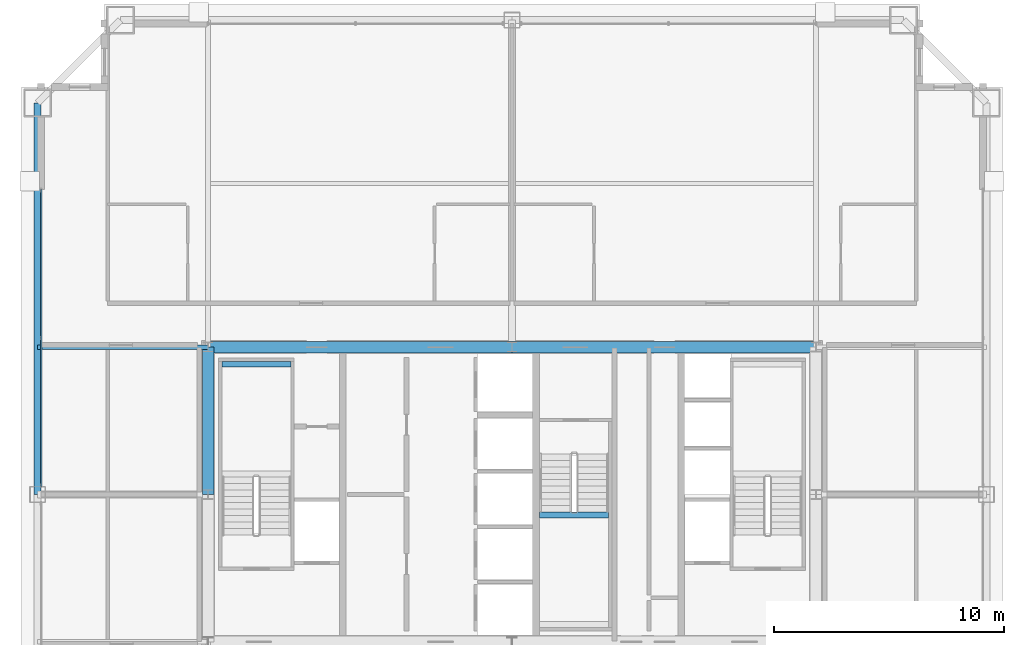
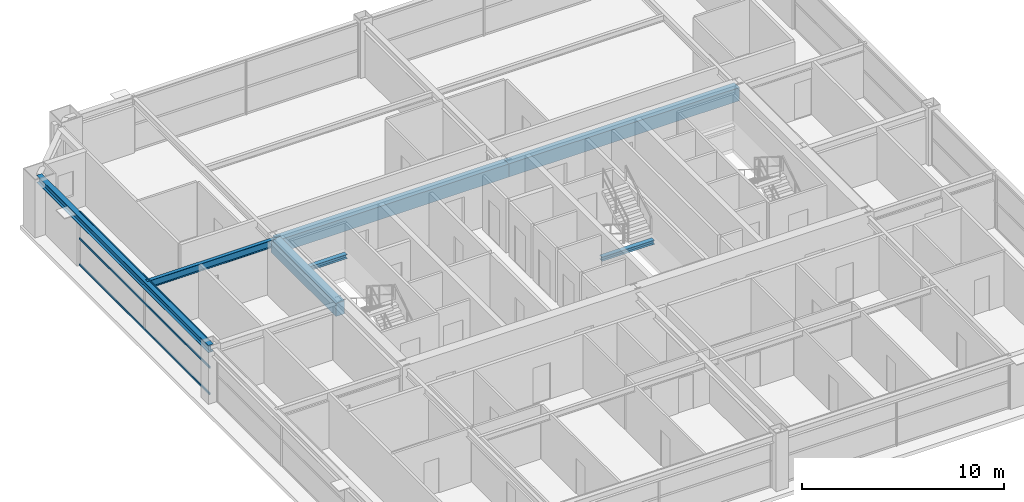
# One storey, part 14 of 36: 7 beams, 3 members, 1 element without a shape of its own.
"""IFC4 building model written with IfcOpenShell, lengths in metres."""

from ifc_helpers import new_model, si_unit, direction, frame, origin, origin_2d, place, context, subcontext, project, spatial, rectangle, hollow_rectangle, i_section, extrude, source, transform, mapped, material, layer, layer_set, material_profile, profile_set, type_object, element, aggregate, save


model = new_model("IFC4")

# Units and contexts
model_context = context("Model", 3, precision=1e-05, world=origin(), true_north=direction((0.0, 1.0)))
body_context = subcontext(model_context, "Body", "Model", "MODEL_VIEW")
ifc_project = project(units=[si_unit("LENGTHUNIT", "METRE"), si_unit("AREAUNIT", "SQUARE_METRE"), si_unit("VOLUMEUNIT", "CUBIC_METRE"), si_unit("PLANEANGLEUNIT", "RADIAN"), si_unit("MASSUNIT", "GRAM", prefix="KILO"), si_unit("THERMODYNAMICTEMPERATUREUNIT", "KELVIN"), si_unit("POWERUNIT", "WATT")], contexts=[model_context])

# Site, building, storey
site_placement = place(None, origin())
site = spatial("IfcSite", under=ifc_project, at=site_placement, CompositionType="ELEMENT")
building_placement = place(site_placement, origin())
building = spatial("IfcBuilding", under=site, at=building_placement, Name="Yuzanri Waterfront Tower", CompositionType="ELEMENT")
storey_placement = place(building_placement, frame((0.0, 0.0, 231.10009765625)))
storey = spatial("IfcBuildingStorey", under=building, at=storey_placement, Name="L61", CompositionType="ELEMENT", Elevation=231.10009765625)

# Beams
ifc_material_1 = material(Name="Concrete C50", Category="concrete")
ifc_material_profile_1 = material_profile(ifc_material_1, rectangle(XDim=0.5, YDim=0.800048828125, at=origin_2d()), Name="RC 500x800")
ifc_profile_set_1 = profile_set([ifc_material_profile_1], Name="Concrete C50")
beam_type_1 = type_object("IfcBeamType", Name="Core Coupling Lintel Concrete C50 500x800", PredefinedType="LINTEL", material=ifc_profile_set_1)
shared_shape_1 = source(origin(), body_context, "Body", "SweptSolid", [
    extrude(rectangle(XDim=0.5, YDim=0.800048828125, at=origin_2d()), origin(), (0.0, 0.0, 1.0), 13.199951171875),
])
for number, where, z_axis, x_axis, name in (
    (1, (23.800048828125, 32.199951171875, 2.8798828125), (1.0, 0.0, 0.0), (0.0, 1.0, 0.0), "L61 Core Tie Beam CN1"),
    (2, (37.0, 32.199951171875, 2.8798828125), (1.0, 0.0, 0.0), (0.0, 1.0, 0.0), "L61 Core Tie Beam CN2"),
):
    element("IfcBeam", number, at=place(storey_placement, frame(where, z_axis=z_axis, x_axis=x_axis)), inside=storey, type_object=beam_type_1, Name=name, PredefinedType="LINTEL", context=body_context, shape_type="MappedRepresentation", body=[
        mapped(shared_shape_1, transform((0.0, 0.0, 0.0), scale=1.0)),
    ])
shared_shape_2 = source(origin(), body_context, "Body", "SweptSolid", [
    extrude(rectangle(XDim=0.5, YDim=0.800048828125, at=origin_2d()), origin(), (0.0, 0.0, 1.0), 6.39990234375),
])
beam_1_placement = place(storey_placement, frame((23.800048828125, 25.800048828125, 2.8798828125), z_axis=(0.0, 1.0, 0.0), x_axis=(-1.0, 0.0, 0.0)))
element("IfcBeam", 3, at=beam_1_placement, inside=storey, type_object=beam_type_1, Name="L61 Core Tie Beam CW2", PredefinedType="LINTEL", context=body_context, shape_type="MappedRepresentation", body=[
    mapped(shared_shape_2, transform((0.0, 0.0, 0.0), scale=1.0)),
])
ifc_material_2 = material(Name="Steel Q355B", Category="steel")
ifc_material_profile_2 = material_profile(ifc_material_2, i_section(OverallWidth=0.300048828125, OverallDepth=0.43994140625, WebThickness=0.010986328125, FlangeThickness=0.01806640625, at=origin_2d()), Name="HM 440x300x11x18")
ifc_profile_set_2 = profile_set([ifc_material_profile_2], Name="Steel Q355B")
beam_type_2 = type_object("IfcBeamType", Name="Perimeter Spandrel Q355B HM 440x300", PredefinedType="SPANDREL", material=ifc_profile_set_2)
shared_shape_3 = source(origin(), body_context, "Body", "SweptSolid", [
    extrude(i_section(OverallWidth=0.300048828125, OverallDepth=0.43994140625, WebThickness=0.010986328125, FlangeThickness=0.01806640625, at=origin_2d()), origin(), (0.0, 0.0, 1.0), 17.0),
])
beam_2_placement = place(storey_placement, frame((16.39990234375, 42.800048828125, 3.059814453125), z_axis=(0.0, -1.0, 0.0), x_axis=(1.0, 0.0, 0.0)))
element("IfcBeam", 4, at=beam_2_placement, inside=storey, type_object=beam_type_2, Name="L61 Perimeter Spandrel W3-W2", PredefinedType="SPANDREL", context=body_context, shape_type="MappedRepresentation", body=[
    mapped(shared_shape_3, transform((0.0, 0.0, 0.0), scale=1.0)),
])
ifc_material_3 = material(Name="Steel Q355B", Category="steel")
ifc_material_profile_3 = material_profile(ifc_material_3, i_section(OverallWidth=0.199951171875, OverallDepth=0.449951171875, WebThickness=0.009033203125, FlangeThickness=0.013916015625, at=origin_2d()), Name="HN 450x200x9x14")
ifc_profile_set_3 = profile_set([ifc_material_profile_3], Name="Steel Q355B")
beam_type_3 = type_object("IfcBeamType", Name="Secondary Floor Beam Q355B HN 450x200", PredefinedType="BEAM", material=ifc_profile_set_3)
shared_shape_4 = source(origin(), body_context, "Body", "SweptSolid", [
    extrude(i_section(OverallWidth=0.199951171875, OverallDepth=0.449951171875, WebThickness=0.009033203125, FlangeThickness=0.013916015625, at=origin_2d()), origin(), (0.0, 0.0, 1.0), 7.400146484375),
])
beam_3_placement = place(storey_placement, frame((23.800048828125, 32.199951171875, 3.054931640625), z_axis=(-1.0, 0.0, 0.0), x_axis=(0.0, -1.0, 0.0)))
element("IfcBeam", 5, at=beam_3_placement, inside=storey, type_object=beam_type_3, Name="L61 West-North Core Line Beam", PredefinedType="BEAM", context=body_context, shape_type="MappedRepresentation", body=[
    mapped(shared_shape_4, transform((0.0, 0.0, 0.0), scale=1.0)),
])

# Curtain wall, members
ifc_material_4 = material(Name="Anodized Architectural Bronze", Category="metal")
ifc_layer = layer(ifc_material_4, 0.159912109375)
ifc_layer_set = layer_set([ifc_layer], Name="Anodized Architectural Bronze")
curtain_wall_type = type_object("IfcCurtainWallType", Name="Anodized Bronze Mid-Rise Residential Acoustic Unitized Curtain Wall 7200", PredefinedType="NOTDEFINED", material=ifc_layer_set)
curtain_wall_placement = place(storey_placement, origin())
curtain_wall = element("IfcCurtainWall", 6, at=curtain_wall_placement, inside=storey, type_object=curtain_wall_type, Name="L61 Curtain Wall CW-L61-WR", PredefinedType="NOTDEFINED")
ifc_material_5 = material(Name="Anodized Architectural Bronze", Category="metal")
ifc_material_profile_4 = material_profile(ifc_material_5, hollow_rectangle(XDim=0.06494140625, YDim=0.1201171875, WallThickness=0.00341796875, at=origin_2d()), Name="CWT 65x120")
ifc_profile_set_4 = profile_set([ifc_material_profile_4], Name="Anodized Architectural Bronze")
member_type = type_object("IfcMemberType", Name="Anodized Bronze Secondary Curtain-Wall Transom 65x120", PredefinedType="USERDEFINED", material=ifc_profile_set_4)
shared_shape_5 = source(origin(), body_context, "Body", "SweptSolid", [
    extrude(hollow_rectangle(XDim=0.06494140625, YDim=0.1201171875, WallThickness=0.00341796875, at=origin_2d()), origin(), (0.0, 0.0, 1.0), 12.900146484375),
])
member_1_placement = place(storey_placement, frame((16.550048828125, 26.14990234375, 0.0498046875), z_axis=(0.0, 1.0, 0.0), x_axis=(-1.0, 0.0, 0.0)))
member_1 = element("IfcMember", 7, at=member_1_placement, type_object=member_type, Name="CW-L61-WR Transom 1", ObjectType="TRANSOM", PredefinedType="USERDEFINED", context=body_context, shape_type="MappedRepresentation", body=[
    mapped(shared_shape_5, transform((0.0, 0.0, 0.0), scale=1.0)),
])
member_2_placement = place(storey_placement, frame((16.550048828125, 26.14990234375, 1.639892578125), z_axis=(0.0, 1.0, 0.0), x_axis=(-1.0, 0.0, 0.0)))
member_2 = element("IfcMember", 8, at=member_2_placement, type_object=member_type, Name="CW-L61-WR Transom 2", ObjectType="TRANSOM", PredefinedType="USERDEFINED", context=body_context, shape_type="MappedRepresentation", body=[
    mapped(shared_shape_5, transform((0.0, 0.0, 0.0), scale=1.0)),
])
member_3_placement = place(storey_placement, frame((16.550048828125, 26.14990234375, 3.22998046875), z_axis=(0.0, 1.0, 0.0), x_axis=(-1.0, 0.0, 0.0)))
member_3 = element("IfcMember", 9, at=member_3_placement, type_object=member_type, Name="CW-L61-WR Transom 3", ObjectType="TRANSOM", PredefinedType="USERDEFINED", context=body_context, shape_type="MappedRepresentation", body=[
    mapped(shared_shape_5, transform((0.0, 0.0, 0.0), scale=1.0)),
])
aggregate(curtain_wall, [member_1, member_2, member_3])

# Beams
ifc_material_6 = material(Name="Steel Q355B", Category="steel")
ifc_material_profile_5 = material_profile(ifc_material_6, i_section(OverallWidth=0.25, OverallDepth=0.25, WebThickness=0.009033203125, FlangeThickness=0.013916015625, at=origin_2d()), Name="HW 250x250x9x14")
ifc_profile_set_5 = profile_set([ifc_material_profile_5], Name="Steel Q355B")
beam_type_4 = type_object("IfcBeamType", Name="Stair Landing Support Beam Q355B HW 250x250", PredefinedType="BEAM", material=ifc_profile_set_5)
shared_shape_6 = source(origin(), body_context, "Body", "SweptSolid", [
    extrude(i_section(OverallWidth=0.25, OverallDepth=0.25, WebThickness=0.009033203125, FlangeThickness=0.013916015625, at=origin_2d()), origin(), (0.0, 0.0, 1.0), 3.0),
])
for number, where, z_axis, x_axis, name in (
    (10, (24.39990234375, 31.449951171875, 1.4248046875), (1.0, 0.0, 0.0), (0.0, 1.0, 0.0), "L61 Stair Landing Support Beam ST-01-L61-L1-2"),
    (11, (38.199951171875, 24.909912109375, 1.4248046875), (1.0, 0.0, 0.0), (0.0, 1.0, 0.0), "L61 Stair Landing Support Beam ST-03-L61-L1-2"),
):
    element("IfcBeam", number, at=place(storey_placement, frame(where, z_axis=z_axis, x_axis=x_axis)), inside=storey, type_object=beam_type_4, Name=name, PredefinedType="BEAM", context=body_context, shape_type="MappedRepresentation", body=[
        mapped(shared_shape_6, transform((0.0, 0.0, 0.0), scale=1.0)),
    ])

save(model, "model.ifc")
